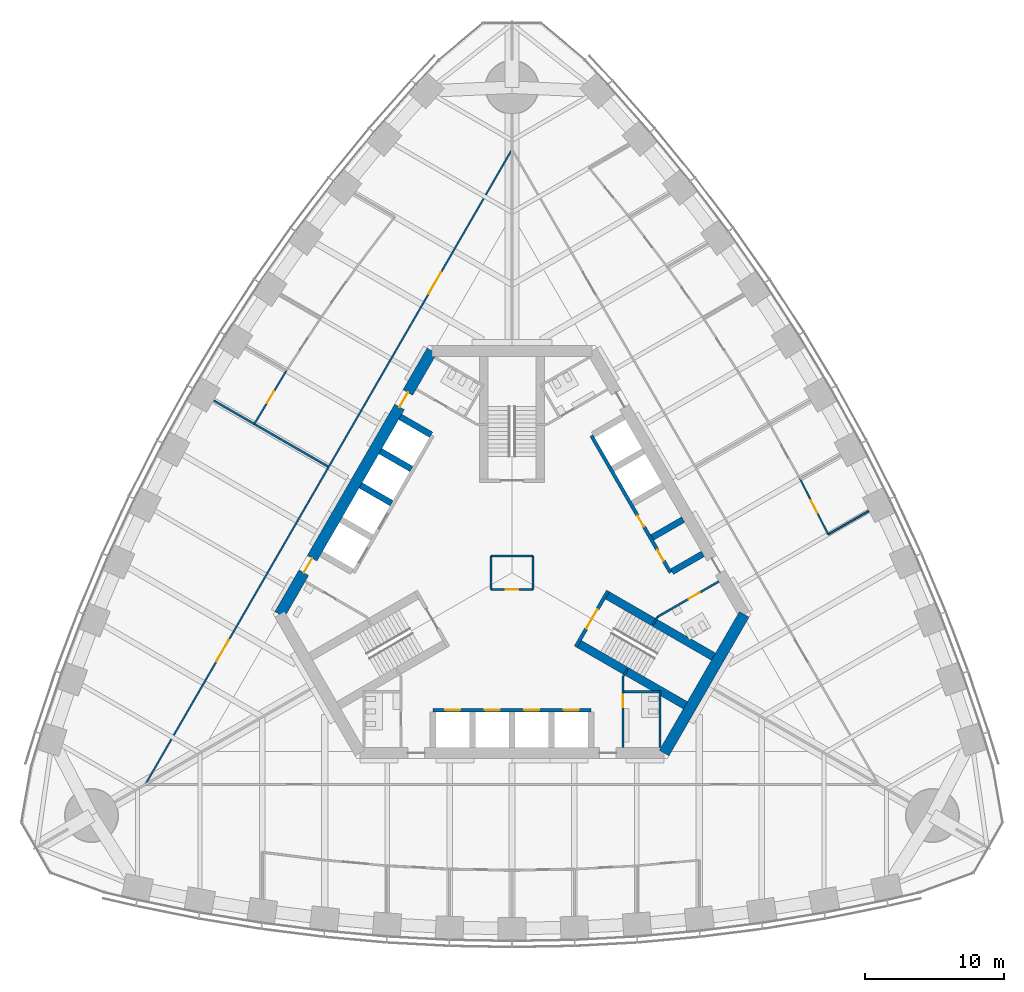
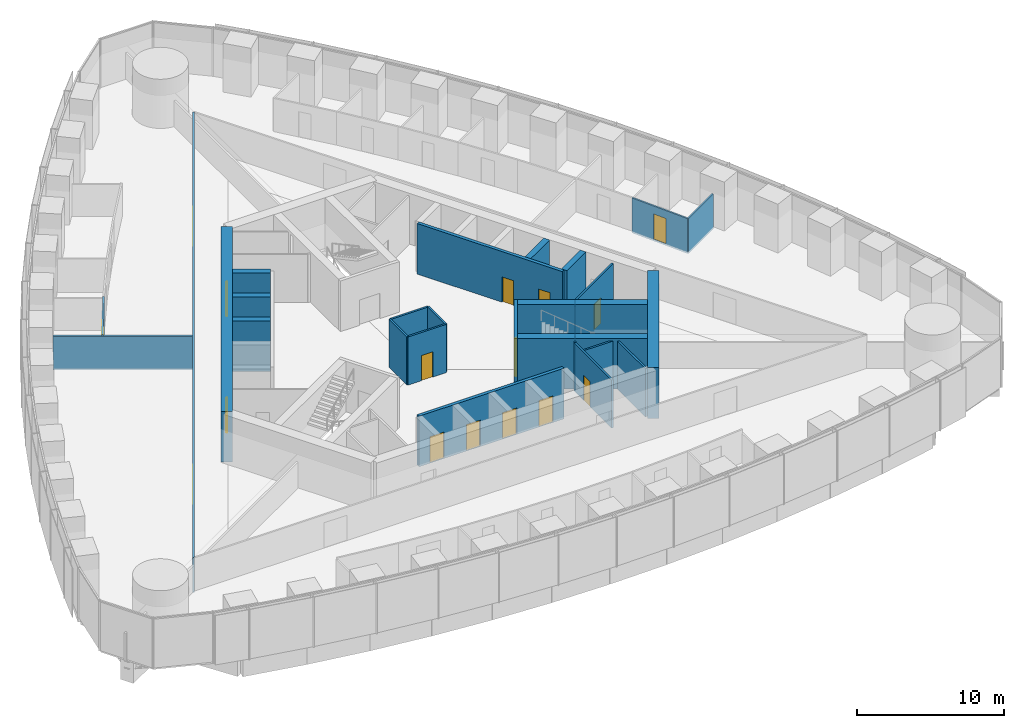
# One storey, part 12 of 19: 27 walls, 16 doors, 16 openings.
"""IFC4 building model written with IfcOpenShell, lengths in metres."""

from ifc_helpers import new_model, si_unit, direction, frame, frame_2d, origin, place, context, subcontext, project, spatial, rectangle, extrude, material, layer, layer_set, type_object, element, fill, save


model = new_model("IFC4")

# Units and contexts
model_context = context("Model", 3, precision=1e-05, world=origin(), true_north=direction((0.0, 1.0)))
body_context = subcontext(model_context, "Body", "Model", "MODEL_VIEW")
ifc_project = project(units=[si_unit("LENGTHUNIT", "METRE"), si_unit("AREAUNIT", "SQUARE_METRE"), si_unit("VOLUMEUNIT", "CUBIC_METRE"), si_unit("PLANEANGLEUNIT", "RADIAN"), si_unit("MASSUNIT", "GRAM", prefix="KILO")], contexts=[model_context])

# Site, building, storey
site_placement = place(None, origin())
site = spatial("IfcSite", under=ifc_project, at=site_placement, CompositionType="ELEMENT")
building_placement = place(site_placement, origin())
building = spatial("IfcBuilding", under=site, at=building_placement, Name="Trefoil Bronze Tower", CompositionType="ELEMENT")
storey_placement = place(building_placement, frame((0.0, 0.0, 166.10009765625)))
storey = spatial("IfcBuildingStorey", under=building, at=storey_placement, Name="L38", CompositionType="ELEMENT", Elevation=166.10009765625)

# Wall
ifc_material_1 = material(Name="Concrete B80", Category="concrete")
ifc_layer_1 = layer(ifc_material_1, 0.800048828125)
ifc_layer_set_1 = layer_set([ifc_layer_1], Name="Core wall 800")
wall_type_1 = type_object("IfcWallType", Name="Core wall 800", PredefinedType="SHEAR", material=ifc_layer_set_1)
wall_1_placement = place(storey_placement, frame((10.9697265625, -13.0, 0.0), z_axis=(0.0, 0.0, 1.0), x_axis=(0.499995765644, 0.866027848477, 0.0)))
element("IfcWall", 1, at=wall_1_placement, inside=storey, type_object=wall_type_1, Name="Core short wall 1 L38", PredefinedType="SHEAR", context=body_context, shape_type="SweptSolid", body=[
    extrude(rectangle(XDim=11.546875, YDim=0.800048828125, at=frame_2d((5.7734375, 0.0))), origin(), (0.0, 0.0, 1.0), 4.199951171875),
])

# Wall, openings, doors
wall_2_placement = place(storey_placement, frame((-5.7734375, 16.0, 0.0), z_axis=(0.0, 0.0, 1.0), x_axis=(-0.500002442456, -0.866023993627, 0.0)))
wall_2 = element("IfcWall", 2, at=wall_2_placement, inside=storey, type_object=wall_type_1, Name="Core long wall 3 L38", PredefinedType="SHEAR", context=body_context, shape_type="SweptSolid", body=[
    extrude(rectangle(XDim=21.939453125, YDim=0.800048828125, at=frame_2d((10.9697265625, 0.0))), origin(), (0.0, 0.0, 1.0), 4.199951171875),
])
opening_1_placement = place(wall_2_placement, frame((17.269775390625, 0.0, 0.0)))
opening_1 = element("IfcOpeningElement", 3, at=opening_1_placement, cuts=wall_2, Name="Opening D2", PredefinedType="OPENING", context=body_context, shape_type="SweptSolid", body=[
    extrude(rectangle(XDim=1.199951171875, YDim=2.10009765625, at=frame_2d((0.60009765625, 1.050048828125))), frame((0.0, 0.409912109375, 0.0), z_axis=(0.0, -1.0, 0.0), x_axis=(1.0, 0.0, 0.0)), (0.0, 0.0, 1.0), 0.820068359375),
])
opening_2_placement = place(wall_2_placement, frame((3.4697265625, 0.0, 0.0)))
opening_2 = element("IfcOpeningElement", 4, at=opening_2_placement, cuts=wall_2, Name="Opening D2", PredefinedType="OPENING", context=body_context, shape_type="SweptSolid", body=[
    extrude(rectangle(XDim=1.199951171875, YDim=2.10009765625, at=frame_2d((0.60009765625, 1.050048828125))), frame((0.0, 0.409912109375, 0.0), z_axis=(0.0, -1.0, 0.0), x_axis=(1.0, 0.0, 0.0)), (0.0, 0.0, 1.0), 0.820068359375),
])
ifc_material_2 = material(Name="Steel door", Category="steel")
door_type_1 = type_object("IfcDoorType", Name="Lobby door 1200", OperationType="SINGLE_SWING_RIGHT", PredefinedType="DOOR", material=ifc_material_2)
door_1_placement = place(opening_1_placement, origin())
door_1 = element("IfcDoor", 5, at=door_1_placement, inside=storey, type_object=door_type_1, Name="Lobby door F3+ L38", OperationType="SINGLE_SWING_RIGHT", OverallHeight=2.10009765625, OverallWidth=1.199951171875, PredefinedType="DOOR", context=body_context, shape_type="SweptSolid", body=[
    extrude(rectangle(XDim=1.199951171875, YDim=2.10009765625, at=frame_2d((0.60009765625, 1.050048828125))), frame((0.0, 0.02490234375, 0.0), z_axis=(0.0, -1.0, 0.0), x_axis=(1.0, 0.0, 0.0)), (0.0, 0.0, 1.0), 0.050048828125),
])
fill(opening_1, door_1)
door_2_placement = place(opening_2_placement, origin())
door_2 = element("IfcDoor", 6, at=door_2_placement, inside=storey, type_object=door_type_1, Name="Lobby door F3- L38", OperationType="SINGLE_SWING_LEFT", OverallHeight=2.10009765625, OverallWidth=1.199951171875, PredefinedType="DOOR", context=body_context, shape_type="SweptSolid", body=[
    extrude(rectangle(XDim=1.199951171875, YDim=2.10009765625, at=frame_2d((0.60009765625, 1.050048828125))), frame((0.0, 0.02490234375, 0.0), z_axis=(0.0, -1.0, 0.0), x_axis=(1.0, 0.0, 0.0)), (0.0, 0.0, 1.0), 0.050048828125),
])
fill(opening_2, door_2)

# Wall, opening, door
ifc_material_3 = material(Name="Glazed partition", Category="glass")
ifc_layer_2 = layer(ifc_material_3, 0.1201171875)
ifc_layer_set_2 = layer_set([ifc_layer_2], Name="Glazed partition 120")
wall_type_2 = type_object("IfcWallType", Name="Glazed partition 120", PredefinedType="PARTITIONING", material=ifc_layer_set_2)
wall_3_placement = place(storey_placement, frame((22.794677734375, 2.768310546875, 0.0), z_axis=(0.0, 0.0, 1.0), x_axis=(-0.452471679136, 0.891778772779, 0.0)))
wall_3 = element("IfcWall", 7, at=wall_3_placement, inside=storey, type_object=wall_type_2, Name="Partition F2 L38", PredefinedType="PARTITIONING", context=body_context, shape_type="SweptSolid", body=[
    extrude(rectangle(XDim=4.506591796875, YDim=0.1201171875, at=frame_2d((2.25341796875, 0.0))), origin(), (0.0, 0.0, 1.0), 2.89990234375),
])
opening_3_placement = place(wall_3_placement, frame((1.75, 0.0, 0.14990234375)))
opening_3 = element("IfcOpeningElement", 8, at=opening_3_placement, cuts=wall_3, Name="Opening D9", PredefinedType="OPENING", context=body_context, shape_type="SweptSolid", body=[
    extrude(rectangle(XDim=1.0, YDim=2.10009765625, at=frame_2d((0.5, 1.050048828125))), frame((0.0, 0.070068359375, 0.0), z_axis=(0.0, -1.0, 0.0), x_axis=(1.0, 0.0, 0.0)), (0.0, 0.0, 1.0), 0.14013671875),
])
ifc_material_4 = material(Name="Glazed timber door", Category="wood")
door_type_2 = type_object("IfcDoorType", Name="Meeting room door 1000", OperationType="SINGLE_SWING_LEFT", PredefinedType="DOOR", material=ifc_material_4)
door_3_placement = place(opening_3_placement, frame((1.0, 0.0, 0.0), z_axis=(0.0, 0.0, 1.0), x_axis=(-1.0, 0.0, 0.0)))
door_3 = element("IfcDoor", 9, at=door_3_placement, inside=storey, type_object=door_type_2, Name="Meeting room door F2 L38", OperationType="SINGLE_SWING_RIGHT", OverallHeight=2.10009765625, OverallWidth=1.0, PredefinedType="DOOR", context=body_context, shape_type="SweptSolid", body=[
    extrude(rectangle(XDim=1.0, YDim=2.10009765625, at=frame_2d((0.5, 1.050048828125))), frame((0.0, 0.02490234375, 0.0), z_axis=(0.0, -1.0, 0.0), x_axis=(1.0, 0.0, 0.0)), (0.0, 0.0, 1.0), 0.050048828125),
])
fill(opening_3, door_3)

# Wall
wall_4_placement = place(storey_placement, frame((22.794677734375, 2.768310546875, 0.0), z_axis=(0.0, 0.0, 1.0), x_axis=(0.866024928363, 0.500000823453, 0.0)))
element("IfcWall", 10, at=wall_4_placement, inside=storey, type_object=wall_type_2, Name="Partition F2 L38", PredefinedType="PARTITIONING", context=body_context, shape_type="SweptSolid", body=[
    extrude(rectangle(XDim=3.36572265625, YDim=0.1201171875, at=frame_2d((1.682861328125, 0.0))), origin(), (0.0, 0.0, 1.0), 2.89990234375),
])

# Wall, openings, doors
wall_5_placement = place(storey_placement, frame((-0.016357421875, 30.491455078125, 0.0), z_axis=(0.0, 0.0, 1.0), x_axis=(-0.50000091641, -0.866024874695, 0.0)))
wall_5 = element("IfcWall", 11, at=wall_5_placement, inside=storey, type_object=wall_type_2, Name="Partition F3 L38", PredefinedType="PARTITIONING", context=body_context, shape_type="SweptSolid", body=[
    extrude(rectangle(XDim=52.79638671875, YDim=0.1201171875, at=frame_2d((26.398193359375, 0.0))), origin(), (0.0, 0.0, 1.0), 2.89990234375),
])
opening_4_placement = place(wall_5_placement, frame((10.199951171875, 0.0, 0.14990234375)))
opening_4 = element("IfcOpeningElement", 12, at=opening_4_placement, cuts=wall_5, Name="Opening D10", PredefinedType="OPENING", context=body_context, shape_type="SweptSolid", body=[
    extrude(rectangle(XDim=1.800048828125, YDim=2.10009765625, at=frame_2d((0.89990234375, 1.050048828125))), frame((0.0, 0.070068359375, 0.0), z_axis=(0.0, -1.0, 0.0), x_axis=(1.0, 0.0, 0.0)), (0.0, 0.0, 1.0), 0.14013671875),
])
opening_5_placement = place(wall_5_placement, frame((40.800048828125, 0.0, 0.14990234375)))
opening_5 = element("IfcOpeningElement", 13, at=opening_5_placement, cuts=wall_5, Name="Opening D10", PredefinedType="OPENING", context=body_context, shape_type="SweptSolid", body=[
    extrude(rectangle(XDim=1.800048828125, YDim=2.10009765625, at=frame_2d((0.89990234375, 1.050048828125))), frame((0.0, 0.070068359375, 0.0), z_axis=(0.0, -1.0, 0.0), x_axis=(1.0, 0.0, 0.0)), (0.0, 0.0, 1.0), 0.14013671875),
])
ifc_material_5 = material(Name="Timber door", Category="wood")
door_type_3 = type_object("IfcDoorType", Name="Double door 1800", OperationType="DOUBLE_DOOR_SINGLE_SWING", PredefinedType="DOOR", material=ifc_material_5)
door_4_placement = place(opening_4_placement, origin())
door_4 = element("IfcDoor", 14, at=door_4_placement, inside=storey, type_object=door_type_3, Name="Corridor door F3 L38", OperationType="DOUBLE_DOOR_SINGLE_SWING", OverallHeight=2.10009765625, OverallWidth=1.800048828125, PredefinedType="DOOR", context=body_context, shape_type="SweptSolid", body=[
    extrude(rectangle(XDim=1.800048828125, YDim=2.10009765625, at=frame_2d((0.89990234375, 1.050048828125))), frame((0.0, 0.02490234375, 0.0), z_axis=(0.0, -1.0, 0.0), x_axis=(1.0, 0.0, 0.0)), (0.0, 0.0, 1.0), 0.050048828125),
])
fill(opening_4, door_4)
door_5_placement = place(opening_5_placement, origin())
door_5 = element("IfcDoor", 15, at=door_5_placement, inside=storey, type_object=door_type_3, Name="Corridor door F3 L38", OperationType="DOUBLE_DOOR_SINGLE_SWING", OverallHeight=2.10009765625, OverallWidth=1.800048828125, PredefinedType="DOOR", context=body_context, shape_type="SweptSolid", body=[
    extrude(rectangle(XDim=1.800048828125, YDim=2.10009765625, at=frame_2d((0.89990234375, 1.050048828125))), frame((0.0, 0.02490234375, 0.0), z_axis=(0.0, -1.0, 0.0), x_axis=(1.0, 0.0, 0.0)), (0.0, 0.0, 1.0), 0.050048828125),
])
fill(opening_5, door_5)

# Wall, opening, door
wall_6_placement = place(storey_placement, frame((-16.255615234375, 14.581298828125, 0.0), z_axis=(0.0, 0.0, 1.0), x_axis=(-0.515548366618, -0.856860479703, 0.0)))
wall_6 = element("IfcWall", 16, at=wall_6_placement, inside=storey, type_object=wall_type_2, Name="Partition F3 L38", PredefinedType="PARTITIONING", context=body_context, shape_type="SweptSolid", body=[
    extrude(rectangle(XDim=4.500732421875, YDim=0.1201171875, at=frame_2d((2.25048828125, 0.0))), origin(), (0.0, 0.0, 1.0), 2.89990234375),
])
opening_6_placement = place(wall_6_placement, frame((1.75, 0.0, 0.14990234375)))
opening_6 = element("IfcOpeningElement", 17, at=opening_6_placement, cuts=wall_6, Name="Opening D9", PredefinedType="OPENING", context=body_context, shape_type="SweptSolid", body=[
    extrude(rectangle(XDim=1.0, YDim=2.10009765625, at=frame_2d((0.5, 1.050048828125))), frame((0.0, 0.070068359375, 0.0), z_axis=(0.0, -1.0, 0.0), x_axis=(1.0, 0.0, 0.0)), (0.0, 0.0, 1.0), 0.14013671875),
])
door_6_placement = place(opening_6_placement, frame((1.0, 0.0, 0.0), z_axis=(0.0, 0.0, 1.0), x_axis=(-1.0, 0.0, 0.0)))
door_6 = element("IfcDoor", 18, at=door_6_placement, inside=storey, type_object=door_type_2, Name="Meeting room door F3 L38", OperationType="SINGLE_SWING_RIGHT", OverallHeight=2.10009765625, OverallWidth=1.0, PredefinedType="DOOR", context=body_context, shape_type="SweptSolid", body=[
    extrude(rectangle(XDim=1.0, YDim=2.10009765625, at=frame_2d((0.5, 1.050048828125))), frame((0.0, 0.02490234375, 0.0), z_axis=(0.0, -1.0, 0.0), x_axis=(1.0, 0.0, 0.0)), (0.0, 0.0, 1.0), 0.050048828125),
])
fill(opening_6, door_6)

# Walls
ifc_material_6 = material(Name="Concrete B80", Category="concrete")
ifc_layer_3 = layer(ifc_material_6, 0.449951171875)
ifc_layer_set_3 = layer_set([ifc_layer_3], Name="Outrigger shaft wall 450")
wall_type_3 = type_object("IfcWallType", Name="Outrigger shaft wall 450", PredefinedType="SHEAR", material=ifc_layer_set_3)
for number, where, z_axis, x_axis, name in (
    (19, (11.531982421875, 0.076171875, 0.0), (0.0, 0.0, 1.0), (0.866005588531, 0.500034319456, 0.0), "Lift shaft side wall B0 L38"),
    (20, (10.10693359375, 2.54443359375, 0.0), (0.0, 0.0, 1.0), (0.866046643894, 0.499963209246, 0.0), "Lift shaft side wall B1 L38"),
):
    element("IfcWall", number, at=place(storey_placement, frame(where, z_axis=z_axis, x_axis=x_axis)), inside=storey, type_object=wall_type_3, Name=name, PredefinedType="SHEAR", context=body_context, shape_type="SweptSolid", body=[
        extrude(rectangle(XDim=2.574951171875, YDim=0.449951171875, at=frame_2d((1.28759765625, 0.0))), origin(), (0.0, 0.0, 1.0), 4.199951171875),
    ])
wall_7_placement = place(storey_placement, frame((-5.831787109375, 9.94873046875, 0.0), z_axis=(0.0, 0.0, 1.0), x_axis=(-0.866029291668, 0.499993265928, 0.0)))
element("IfcWall", 21, at=wall_7_placement, inside=storey, type_object=wall_type_3, Name="Lift shaft side wall C0 L38", PredefinedType="SHEAR", context=body_context, shape_type="SweptSolid", body=[
    extrude(rectangle(XDim=2.5751953125, YDim=0.449951171875, at=frame_2d((1.28759765625, 0.0))), origin(), (0.0, 0.0, 1.0), 4.199951171875),
])
for number, where, z_axis, x_axis, name in (
    (22, (-7.2568359375, 7.480712890625, 0.0), (0.0, 0.0, 1.0), (-0.866046643894, 0.499963209246, 0.0), "Lift shaft side wall C1 L38"),
    (23, (-8.681884765625, 5.012451171875, 0.0), (0.0, 0.0, 1.0), (-0.866005588531, 0.500034319456, 0.0), "Lift shaft side wall C2 L38"),
):
    element("IfcWall", number, at=place(storey_placement, frame(where, z_axis=z_axis, x_axis=x_axis)), inside=storey, type_object=wall_type_3, Name=name, PredefinedType="SHEAR", context=body_context, shape_type="SweptSolid", body=[
        extrude(rectangle(XDim=2.574951171875, YDim=0.449951171875, at=frame_2d((1.28759765625, 0.0))), origin(), (0.0, 0.0, 1.0), 4.199951171875),
    ])

# Wall, opening, door
ifc_material_7 = material(Name="Gypsum board on steel studs", Category="steel")
ifc_layer_4 = layer(ifc_material_7, 0.14990234375)
ifc_layer_set_4 = layer_set([ifc_layer_4], Name="Partition 150")
wall_type_4 = type_object("IfcWallType", Name="Partition 150", PredefinedType="PARTITIONING", material=ifc_layer_set_4)
wall_8_placement = place(storey_placement, frame((8.0, -7.5, 0.0), z_axis=(0.0, 0.0, 1.0), x_axis=(0.0, -1.0, 0.0)))
wall_8 = element("IfcWall", 24, at=wall_8_placement, inside=storey, type_object=wall_type_4, Name="Passage wall F1+ L38", PredefinedType="PARTITIONING", context=body_context, shape_type="SweptSolid", body=[
    extrude(rectangle(XDim=5.10009765625, YDim=0.14990234375, at=frame_2d((2.550048828125, 0.0))), origin(), (0.0, 0.0, 1.0), 4.0),
])
opening_7_placement = place(wall_8_placement, frame((1.300048828125, 0.0, 0.0)))
opening_7 = element("IfcOpeningElement", 25, at=opening_7_placement, cuts=wall_8, Name="Opening D3", PredefinedType="OPENING", context=body_context, shape_type="SweptSolid", body=[
    extrude(rectangle(XDim=0.89990234375, YDim=2.10009765625, at=frame_2d((0.449951171875, 1.050048828125))), frame((0.0, 0.0849609375, 0.0), z_axis=(0.0, -1.0, 0.0), x_axis=(1.0, 0.0, 0.0)), (0.0, 0.0, 1.0), 0.169921875),
])
ifc_material_8 = material(Name="Timber door", Category="wood")
door_type_4 = type_object("IfcDoorType", Name="WC door 900", OperationType="SINGLE_SWING_LEFT", PredefinedType="DOOR", material=ifc_material_8)
door_7_placement = place(opening_7_placement, origin())
door_7 = element("IfcDoor", 26, at=door_7_placement, inside=storey, type_object=door_type_4, Name="WC (men) door L38", OperationType="SINGLE_SWING_LEFT", OverallHeight=2.10009765625, OverallWidth=0.89990234375, PredefinedType="DOOR", context=body_context, shape_type="SweptSolid", body=[
    extrude(rectangle(XDim=0.89990234375, YDim=2.10009765625, at=frame_2d((0.449951171875, 1.050048828125))), frame((0.0, 0.02490234375, 0.0), z_axis=(0.0, -1.0, 0.0), x_axis=(1.0, 0.0, 0.0)), (0.0, 0.0, 1.0), 0.050048828125),
])
fill(opening_7, door_7)

wall_9_placement = place(storey_placement, frame((10.4951171875, -3.17822265625, 0.0), z_axis=(0.0, 0.0, 1.0), x_axis=(0.86602216432, 0.500005610874, 0.0)))
wall_9 = element("IfcWall", 27, at=wall_9_placement, inside=storey, type_object=wall_type_4, Name="Passage wall F2- L38", PredefinedType="PARTITIONING", context=body_context, shape_type="SweptSolid", body=[
    extrude(rectangle(XDim=5.10009765625, YDim=0.14990234375, at=frame_2d((2.550048828125, 0.0))), origin(), (0.0, 0.0, 1.0), 4.0),
])
opening_8_placement = place(wall_9_placement, frame((2.60009765625, 0.0, 0.0)))
opening_8 = element("IfcOpeningElement", 28, at=opening_8_placement, cuts=wall_9, Name="Opening D3", PredefinedType="OPENING", context=body_context, shape_type="SweptSolid", body=[
    extrude(rectangle(XDim=0.89990234375, YDim=2.10009765625, at=frame_2d((0.449951171875, 1.050048828125))), frame((0.0, 0.0849609375, 0.0), z_axis=(0.0, -1.0, 0.0), x_axis=(1.0, 0.0, 0.0)), (0.0, 0.0, 1.0), 0.169921875),
])
door_8_placement = place(opening_8_placement, frame((0.89990234375, 0.0, 0.0), z_axis=(0.0, 0.0, 1.0), x_axis=(-1.0, 0.0, 0.0)))
door_8 = element("IfcDoor", 29, at=door_8_placement, inside=storey, type_object=door_type_4, Name="WC (women) door L38", OperationType="SINGLE_SWING_LEFT", OverallHeight=2.10009765625, OverallWidth=0.89990234375, PredefinedType="DOOR", context=body_context, shape_type="SweptSolid", body=[
    extrude(rectangle(XDim=0.89990234375, YDim=2.10009765625, at=frame_2d((0.449951171875, 1.050048828125))), frame((0.0, 0.02490234375, 0.0), z_axis=(0.0, -1.0, 0.0), x_axis=(1.0, 0.0, 0.0)), (0.0, 0.0, 1.0), 0.050048828125),
])
fill(opening_8, door_8)

# Walls
for number, where, z_axis, x_axis, name in (
    (30, (8.0, -7.5, 0.0), (0.0, 0.0, 1.0), (0.499842556608, 0.866116284689, 0.0), "WC wall ST1-1 L38"),
    (31, (10.4951171875, -3.17822265625, 0.0), (0.0, 0.0, 1.0), (-0.499842556608, -0.866116284689, 0.0), "WC wall ST1+1 L38"),
):
    element("IfcWall", number, at=place(storey_placement, frame(where, z_axis=z_axis, x_axis=x_axis)), inside=storey, type_object=wall_type_4, Name=name, PredefinedType="PARTITIONING", context=body_context, shape_type="SweptSolid", body=[
        extrude(rectangle(XDim=0.645263671875, YDim=0.14990234375, at=frame_2d((0.32275390625, 0.0))), origin(), (0.0, 0.0, 1.0), 4.0),
    ])
wall_10_placement = place(storey_placement, frame((10.659912109375, -8.5, 0.0), z_axis=(0.0, 0.0, 1.0), x_axis=(0.0, -1.0, 0.0)))
element("IfcWall", 32, at=wall_10_placement, inside=storey, type_object=wall_type_4, Name="WC partition WC (men) L38", PredefinedType="PARTITIONING", context=body_context, shape_type="SweptSolid", body=[
    extrude(rectangle(XDim=4.10009765625, YDim=0.14990234375, at=frame_2d((2.050048828125, 0.0))), origin(), (0.0, 0.0, 1.0), 4.0),
])
wall_11_placement = place(storey_placement, frame((8.074951171875, -8.574951171875, 0.0), z_axis=(0.0, 0.0, 1.0), x_axis=(1.0, 0.0, 0.0)))
element("IfcWall", 33, at=wall_11_placement, inside=storey, type_object=wall_type_4, Name="WC partition WC (men) L38", PredefinedType="PARTITIONING", context=body_context, shape_type="SweptSolid", body=[
    extrude(rectangle(XDim=2.510009765625, YDim=0.14990234375, at=frame_2d((1.2548828125, 0.0))), origin(), (0.0, 0.0, 1.0), 4.0),
])
ifc_material_9 = material(Name="Gypsum board on steel studs", Category="steel")
ifc_layer_5 = layer(ifc_material_9, 0.14990234375)
ifc_layer_set_5 = layer_set([ifc_layer_5], Name="Party wall 150")
wall_type_5 = type_object("IfcWallType", Name="Party wall 150", PredefinedType="PARTITIONING", material=ifc_layer_set_5)
wall_12_placement = place(storey_placement, frame((-13.267578125, 7.659912109375, 0.0), z_axis=(0.0, 0.0, 1.0), x_axis=(-0.866013963754, 0.500019814191, 0.0)))
element("IfcWall", 34, at=wall_12_placement, inside=storey, type_object=wall_type_5, Name="Demising wall F3 L38", PredefinedType="PARTITIONING", context=body_context, shape_type="SweptSolid", body=[
    extrude(rectangle(XDim=9.49951171875, YDim=0.14990234375, at=frame_2d((4.749755859375, 0.0))), origin(), (0.0, 0.0, 1.0), 2.7998046875),
])

# Wall, opening, door
ifc_material_10 = material(Name="Gypsum board on steel studs", Category="steel")
ifc_layer_6 = layer(ifc_material_10, 0.14990234375)
ifc_layer_set_6 = layer_set([ifc_layer_6], Name="Riser wall 150")
wall_type_6 = type_object("IfcWallType", Name="Riser wall 150", PredefinedType="PARTITIONING", material=ifc_layer_set_6)
wall_13_placement = place(storey_placement, frame((-1.5, -1.199951171875, 0.0), z_axis=(0.0, 0.0, 1.0), x_axis=(1.0, 0.0, 0.0)))
wall_13 = element("IfcWall", 35, at=wall_13_placement, inside=storey, type_object=wall_type_6, Name="Riser wall L38", PredefinedType="PARTITIONING", context=body_context, shape_type="SweptSolid", body=[
    extrude(rectangle(XDim=3.0, YDim=0.14990234375, at=frame_2d((1.5, 0.0))), origin(), (0.0, 0.0, 1.0), 4.0),
])
opening_9_placement = place(wall_13_placement, frame((1.050048828125, 0.0, 0.0)))
opening_9 = element("IfcOpeningElement", 36, at=opening_9_placement, cuts=wall_13, Name="Opening D4", PredefinedType="OPENING", context=body_context, shape_type="SweptSolid", body=[
    extrude(rectangle(XDim=0.89990234375, YDim=2.10009765625, at=frame_2d((0.449951171875, 1.050048828125))), frame((0.0, 0.0849609375, 0.0), z_axis=(0.0, -1.0, 0.0), x_axis=(1.0, 0.0, 0.0)), (0.0, 0.0, 1.0), 0.169921875),
])
ifc_material_11 = material(Name="Steel door", Category="steel")
door_type_5 = type_object("IfcDoorType", Name="Riser door 900", OperationType="SINGLE_SWING_LEFT", PredefinedType="DOOR", material=ifc_material_11)
door_9_placement = place(opening_9_placement, frame((0.89990234375, 0.0, 0.0), z_axis=(0.0, 0.0, 1.0), x_axis=(-1.0, 0.0, 0.0)))
door_9 = element("IfcDoor", 37, at=door_9_placement, inside=storey, type_object=door_type_5, Name="Riser door L38", OperationType="SINGLE_SWING_LEFT", OverallHeight=2.10009765625, OverallWidth=0.89990234375, PredefinedType="DOOR", context=body_context, shape_type="SweptSolid", body=[
    extrude(rectangle(XDim=0.89990234375, YDim=2.10009765625, at=frame_2d((0.449951171875, 1.050048828125))), frame((0.0, 0.02490234375, 0.0), z_axis=(0.0, -1.0, 0.0), x_axis=(1.0, 0.0, 0.0)), (0.0, 0.0, 1.0), 0.050048828125),
])
fill(opening_9, door_9)

# Walls
wall_14_placement = place(storey_placement, frame((1.5, -1.199951171875, 0.0), z_axis=(0.0, 0.0, 1.0), x_axis=(0.0, 1.0, 0.0)))
element("IfcWall", 38, at=wall_14_placement, inside=storey, type_object=wall_type_6, Name="Riser wall L38", PredefinedType="PARTITIONING", context=body_context, shape_type="SweptSolid", body=[
    extrude(rectangle(XDim=2.39990234375, YDim=0.14990234375, at=frame_2d((1.199951171875, 0.0))), origin(), (0.0, 0.0, 1.0), 4.0),
])
wall_15_placement = place(storey_placement, frame((1.5, 1.199951171875, 0.0), z_axis=(0.0, 0.0, 1.0), x_axis=(-1.0, 0.0, 0.0)))
element("IfcWall", 39, at=wall_15_placement, inside=storey, type_object=wall_type_6, Name="Riser wall L38", PredefinedType="PARTITIONING", context=body_context, shape_type="SweptSolid", body=[
    extrude(rectangle(XDim=3.0, YDim=0.14990234375, at=frame_2d((1.5, 0.0))), origin(), (0.0, 0.0, 1.0), 4.0),
])
wall_16_placement = place(storey_placement, frame((-1.5, 1.199951171875, 0.0), z_axis=(0.0, 0.0, 1.0), x_axis=(0.0, -1.0, 0.0)))
element("IfcWall", 40, at=wall_16_placement, inside=storey, type_object=wall_type_6, Name="Riser wall L38", PredefinedType="PARTITIONING", context=body_context, shape_type="SweptSolid", body=[
    extrude(rectangle(XDim=2.39990234375, YDim=0.14990234375, at=frame_2d((1.199951171875, 0.0))), origin(), (0.0, 0.0, 1.0), 4.0),
])

# Wall, openings, doors
ifc_material_12 = material(Name="Concrete B80", Category="concrete")
ifc_layer_7 = layer(ifc_material_12, 0.25)
ifc_layer_set_7 = layer_set([ifc_layer_7], Name="Shaft wall 250")
wall_type_7 = type_object("IfcWallType", Name="Shaft wall 250", PredefinedType="SHEAR", material=ifc_layer_set_7)
wall_17_placement = place(storey_placement, frame((-5.699951171875, -9.89990234375, 0.0), z_axis=(0.0, 0.0, 1.0), x_axis=(1.0, 0.0, 0.0)))
wall_17 = element("IfcWall", 41, at=wall_17_placement, inside=storey, type_object=wall_type_7, Name="Lift shaft front wall A L38", PredefinedType="SHEAR", context=body_context, shape_type="SweptSolid", body=[
    extrude(rectangle(XDim=11.39990234375, YDim=0.25, at=frame_2d((5.699951171875, 0.0))), origin(), (0.0, 0.0, 1.0), 4.199951171875),
])
opening_10_placement = place(wall_17_placement, frame((0.875, 0.0, 0.0)))
opening_10 = element("IfcOpeningElement", 42, at=opening_10_placement, cuts=wall_17, Name="Opening LD-P21", PredefinedType="OPENING", context=body_context, shape_type="SweptSolid", body=[
    extrude(rectangle(XDim=1.10009765625, YDim=2.199951171875, at=frame_2d((0.550048828125, 1.10009765625))), frame((0.0, 0.135009765625, 0.0), z_axis=(0.0, -1.0, 0.0), x_axis=(1.0, 0.0, 0.0)), (0.0, 0.0, 1.0), 0.27001953125),
])
opening_11_placement = place(wall_17_placement, frame((3.72509765625, 0.0, 0.0)))
opening_11 = element("IfcOpeningElement", 43, at=opening_11_placement, cuts=wall_17, Name="Opening LD-P22", PredefinedType="OPENING", context=body_context, shape_type="SweptSolid", body=[
    extrude(rectangle(XDim=1.10009765625, YDim=2.199951171875, at=frame_2d((0.550048828125, 1.10009765625))), frame((0.0, 0.135009765625, 0.0), z_axis=(0.0, -1.0, 0.0), x_axis=(1.0, 0.0, 0.0)), (0.0, 0.0, 1.0), 0.27001953125),
])
opening_12_placement = place(wall_17_placement, frame((6.574951171875, 0.0, 0.0)))
opening_12 = element("IfcOpeningElement", 44, at=opening_12_placement, cuts=wall_17, Name="Opening LD-P23", PredefinedType="OPENING", context=body_context, shape_type="SweptSolid", body=[
    extrude(rectangle(XDim=1.10009765625, YDim=2.199951171875, at=frame_2d((0.550048828125, 1.10009765625))), frame((0.0, 0.135009765625, 0.0), z_axis=(0.0, -1.0, 0.0), x_axis=(1.0, 0.0, 0.0)), (0.0, 0.0, 1.0), 0.27001953125),
])
opening_13_placement = place(wall_17_placement, frame((9.425048828125, 0.0, 0.0)))
opening_13 = element("IfcOpeningElement", 45, at=opening_13_placement, cuts=wall_17, Name="Opening LD-P24", PredefinedType="OPENING", context=body_context, shape_type="SweptSolid", body=[
    extrude(rectangle(XDim=1.10009765625, YDim=2.199951171875, at=frame_2d((0.550048828125, 1.10009765625))), frame((0.0, 0.135009765625, 0.0), z_axis=(0.0, -1.0, 0.0), x_axis=(1.0, 0.0, 0.0)), (0.0, 0.0, 1.0), 0.27001953125),
])
ifc_material_13 = material(Name="Steel door", Category="steel")
door_type_6 = type_object("IfcDoorType", Name="Lift landing door 1100", OperationType="DOUBLE_DOOR_SLIDING", PredefinedType="DOOR", material=ifc_material_13)
door_10_placement = place(opening_10_placement, origin())
door_10 = element("IfcDoor", 46, at=door_10_placement, inside=storey, type_object=door_type_6, Name="Lift P21 landing door L38", OperationType="DOUBLE_DOOR_SLIDING", OverallHeight=2.199951171875, OverallWidth=1.10009765625, PredefinedType="DOOR", context=body_context, shape_type="SweptSolid", body=[
    extrude(rectangle(XDim=1.10009765625, YDim=2.199951171875, at=frame_2d((0.550048828125, 1.10009765625))), frame((0.0, 0.02490234375, 0.0), z_axis=(0.0, -1.0, 0.0), x_axis=(1.0, 0.0, 0.0)), (0.0, 0.0, 1.0), 0.050048828125),
])
fill(opening_10, door_10)
door_11_placement = place(opening_11_placement, origin())
door_11 = element("IfcDoor", 47, at=door_11_placement, inside=storey, type_object=door_type_6, Name="Lift P22 landing door L38", OperationType="DOUBLE_DOOR_SLIDING", OverallHeight=2.199951171875, OverallWidth=1.10009765625, PredefinedType="DOOR", context=body_context, shape_type="SweptSolid", body=[
    extrude(rectangle(XDim=1.10009765625, YDim=2.199951171875, at=frame_2d((0.550048828125, 1.10009765625))), frame((0.0, 0.02490234375, 0.0), z_axis=(0.0, -1.0, 0.0), x_axis=(1.0, 0.0, 0.0)), (0.0, 0.0, 1.0), 0.050048828125),
])
fill(opening_11, door_11)
door_12_placement = place(opening_12_placement, origin())
door_12 = element("IfcDoor", 48, at=door_12_placement, inside=storey, type_object=door_type_6, Name="Lift P23 landing door L38", OperationType="DOUBLE_DOOR_SLIDING", OverallHeight=2.199951171875, OverallWidth=1.10009765625, PredefinedType="DOOR", context=body_context, shape_type="SweptSolid", body=[
    extrude(rectangle(XDim=1.10009765625, YDim=2.199951171875, at=frame_2d((0.550048828125, 1.10009765625))), frame((0.0, 0.02490234375, 0.0), z_axis=(0.0, -1.0, 0.0), x_axis=(1.0, 0.0, 0.0)), (0.0, 0.0, 1.0), 0.050048828125),
])
fill(opening_12, door_12)
door_13_placement = place(opening_13_placement, origin())
door_13 = element("IfcDoor", 49, at=door_13_placement, inside=storey, type_object=door_type_6, Name="Lift P24 landing door L38", OperationType="DOUBLE_DOOR_SLIDING", OverallHeight=2.199951171875, OverallWidth=1.10009765625, PredefinedType="DOOR", context=body_context, shape_type="SweptSolid", body=[
    extrude(rectangle(XDim=1.10009765625, YDim=2.199951171875, at=frame_2d((0.550048828125, 1.10009765625))), frame((0.0, 0.02490234375, 0.0), z_axis=(0.0, -1.0, 0.0), x_axis=(1.0, 0.0, 0.0)), (0.0, 0.0, 1.0), 0.050048828125),
])
fill(opening_13, door_13)

wall_18_placement = place(storey_placement, frame((11.423583984375, 0.013671875, 0.0), z_axis=(0.0, 0.0, 1.0), x_axis=(-0.500001763848, 0.866024385424, 0.0)))
wall_18 = element("IfcWall", 50, at=wall_18_placement, inside=storey, type_object=wall_type_7, Name="Lift shaft front wall B L38", PredefinedType="SHEAR", context=body_context, shape_type="SweptSolid", body=[
    extrude(rectangle(XDim=11.39990234375, YDim=0.25, at=frame_2d((5.699951171875, 0.0))), origin(), (0.0, 0.0, 1.0), 4.199951171875),
])
opening_14_placement = place(wall_18_placement, frame((0.97509765625, 0.0, 0.0)))
opening_14 = element("IfcOpeningElement", 51, at=opening_14_placement, cuts=wall_18, Name="Opening D12", PredefinedType="OPENING", context=body_context, shape_type="SweptSolid", body=[
    extrude(rectangle(XDim=0.89990234375, YDim=2.10009765625, at=frame_2d((0.449951171875, 1.050048828125))), frame((0.0, 0.135009765625, 0.0), z_axis=(0.0, -1.0, 0.0), x_axis=(1.0, 0.0, 0.0)), (0.0, 0.0, 1.0), 0.27001953125),
])
opening_15_placement = place(wall_18_placement, frame((3.824951171875, 0.0, 0.0)))
opening_15 = element("IfcOpeningElement", 52, at=opening_15_placement, cuts=wall_18, Name="Opening D12", PredefinedType="OPENING", context=body_context, shape_type="SweptSolid", body=[
    extrude(rectangle(XDim=0.89990234375, YDim=2.10009765625, at=frame_2d((0.449951171875, 1.050048828125))), frame((0.0, 0.135009765625, 0.0), z_axis=(0.0, -1.0, 0.0), x_axis=(1.0, 0.0, 0.0)), (0.0, 0.0, 1.0), 0.27001953125),
])
ifc_material_14 = material(Name="Steel door", Category="steel")
door_type_7 = type_object("IfcDoorType", Name="Shaft room door 900", OperationType="SINGLE_SWING_LEFT", PredefinedType="DOOR", material=ifc_material_14)
door_14_placement = place(opening_14_placement, frame((0.89990234375, 0.0, 0.0), z_axis=(0.0, 0.0, 1.0), x_axis=(-1.0, 0.0, 0.0)))
door_14 = element("IfcDoor", 53, at=door_14_placement, inside=storey, type_object=door_type_7, Name="Shaft room door B1 L38", OperationType="SINGLE_SWING_LEFT", OverallHeight=2.10009765625, OverallWidth=0.89990234375, PredefinedType="DOOR", context=body_context, shape_type="SweptSolid", body=[
    extrude(rectangle(XDim=0.89990234375, YDim=2.10009765625, at=frame_2d((0.449951171875, 1.050048828125))), frame((0.0, 0.02490234375, 0.0), z_axis=(0.0, -1.0, 0.0), x_axis=(1.0, 0.0, 0.0)), (0.0, 0.0, 1.0), 0.050048828125),
])
fill(opening_14, door_14)
door_15_placement = place(opening_15_placement, frame((0.89990234375, 0.0, 0.0), z_axis=(0.0, 0.0, 1.0), x_axis=(-1.0, 0.0, 0.0)))
door_15 = element("IfcDoor", 54, at=door_15_placement, inside=storey, type_object=door_type_7, Name="Shaft room door B2 L38", OperationType="SINGLE_SWING_RIGHT", OverallHeight=2.10009765625, OverallWidth=0.89990234375, PredefinedType="DOOR", context=body_context, shape_type="SweptSolid", body=[
    extrude(rectangle(XDim=0.89990234375, YDim=2.10009765625, at=frame_2d((0.449951171875, 1.050048828125))), frame((0.0, 0.02490234375, 0.0), z_axis=(0.0, -1.0, 0.0), x_axis=(1.0, 0.0, 0.0)), (0.0, 0.0, 1.0), 0.050048828125),
])
fill(opening_15, door_15)

# Wall, opening, door
wall_19_placement = place(storey_placement, frame((4.5966796875, -5.338623046875, 0.0), z_axis=(0.0, 0.0, 1.0), x_axis=(0.499984536904, 0.866034331223, 0.0)))
wall_19 = element("IfcWall", 55, at=wall_19_placement, inside=storey, type_object=wall_type_7, Name="Stair end wall ST1 L38", PredefinedType="SHEAR", context=body_context, shape_type="SweptSolid", body=[
    extrude(rectangle(XDim=4.650146484375, YDim=0.25, at=frame_2d((2.3251953125, 0.0))), origin(), (0.0, 0.0, 1.0), 4.199951171875),
])
opening_16_placement = place(wall_19_placement, frame((1.52490234375, 0.0, 0.0)))
opening_16 = element("IfcOpeningElement", 56, at=opening_16_placement, cuts=wall_19, Name="Opening D1", PredefinedType="OPENING", context=body_context, shape_type="SweptSolid", body=[
    extrude(rectangle(XDim=1.60009765625, YDim=2.10009765625, at=frame_2d((0.800048828125, 1.050048828125))), frame((0.0, 0.135009765625, 0.0), z_axis=(0.0, -1.0, 0.0), x_axis=(1.0, 0.0, 0.0)), (0.0, 0.0, 1.0), 0.27001953125),
])
ifc_material_15 = material(Name="Steel door", Category="steel")
door_type_8 = type_object("IfcDoorType", Name="Stair door 1600", OperationType="DOUBLE_DOOR_SINGLE_SWING", PredefinedType="DOOR", material=ifc_material_15)
door_16_placement = place(opening_16_placement, frame((1.60009765625, 0.0, 0.0), z_axis=(0.0, 0.0, 1.0), x_axis=(-1.0, 0.0, 0.0)))
door_16 = element("IfcDoor", 57, at=door_16_placement, inside=storey, type_object=door_type_8, Name="Stair door ST1 L38", OperationType="DOUBLE_DOOR_SINGLE_SWING", OverallHeight=2.10009765625, OverallWidth=1.60009765625, PredefinedType="DOOR", context=body_context, shape_type="SweptSolid", body=[
    extrude(rectangle(XDim=1.60009765625, YDim=2.10009765625, at=frame_2d((0.800048828125, 1.050048828125))), frame((0.0, 0.02490234375, 0.0), z_axis=(0.0, -1.0, 0.0), x_axis=(1.0, 0.0, 0.0)), (0.0, 0.0, 1.0), 0.050048828125),
])
fill(opening_16, door_16)

# Walls
ifc_material_16 = material(Name="Concrete B80", Category="concrete")
ifc_layer_8 = layer(ifc_material_16, 0.60009765625)
ifc_layer_set_8 = layer_set([ifc_layer_8], Name="Stair wall 600")
wall_type_8 = type_object("IfcWallType", Name="Stair wall 600", PredefinedType="SHEAR", material=ifc_layer_set_8)
for number, where, z_axis, x_axis, name in (
    (58, (4.638427734375, -5.01611328125, 0.0), (0.0, 0.0, 1.0), (0.866019375473, -0.500010441196, 0.0), "Stair wall ST1 L38"),
    (59, (6.663330078125, -1.5087890625, 0.0), (0.0, 0.0, 1.0), (0.866019375473, -0.500010441196, 0.0), "Stair wall ST1 L38"),
):
    element("IfcWall", number, at=place(storey_placement, frame(where, z_axis=z_axis, x_axis=x_axis)), inside=storey, type_object=wall_type_8, Name=name, PredefinedType="SHEAR", context=body_context, shape_type="SweptSolid", body=[
        extrude(rectangle(XDim=9.074951171875, YDim=0.60009765625, at=frame_2d((4.53759765625, 0.0))), origin(), (0.0, 0.0, 1.0), 4.199951171875),
    ])

save(model, "model.ifc")
